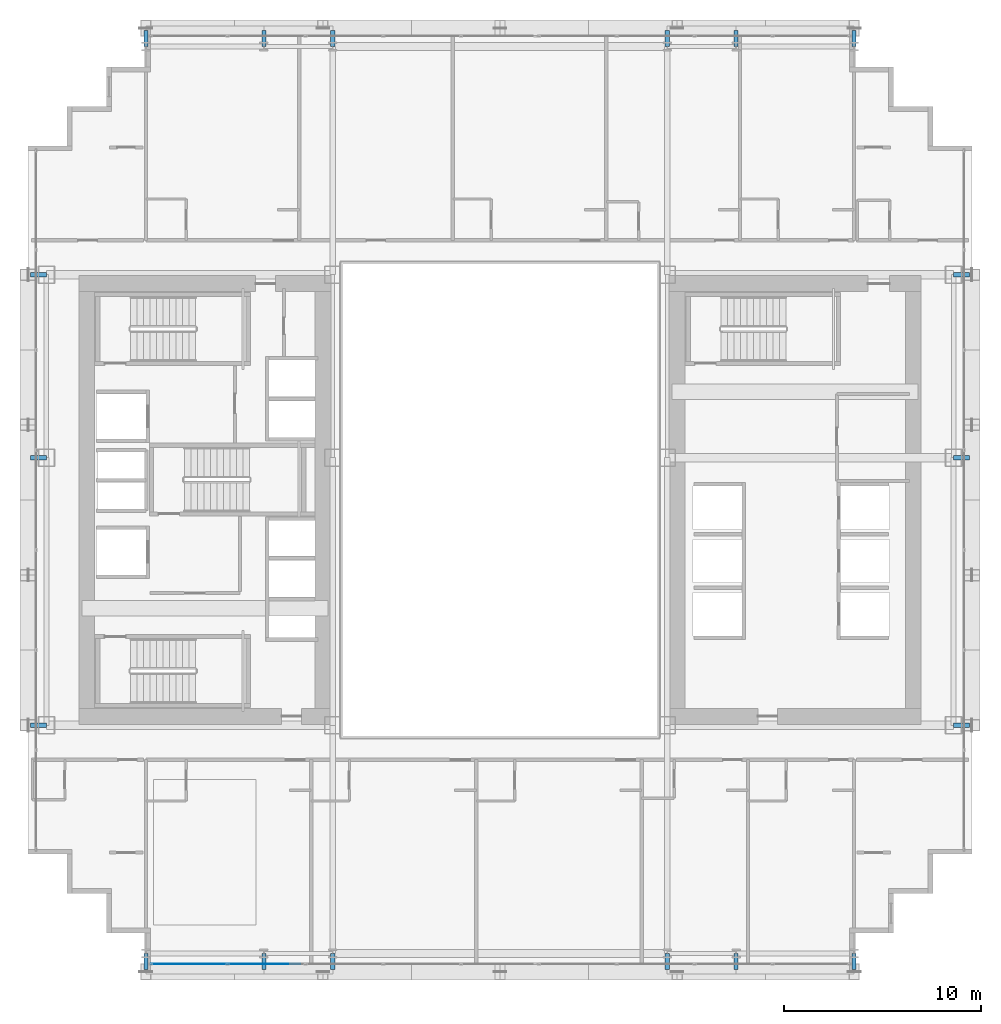
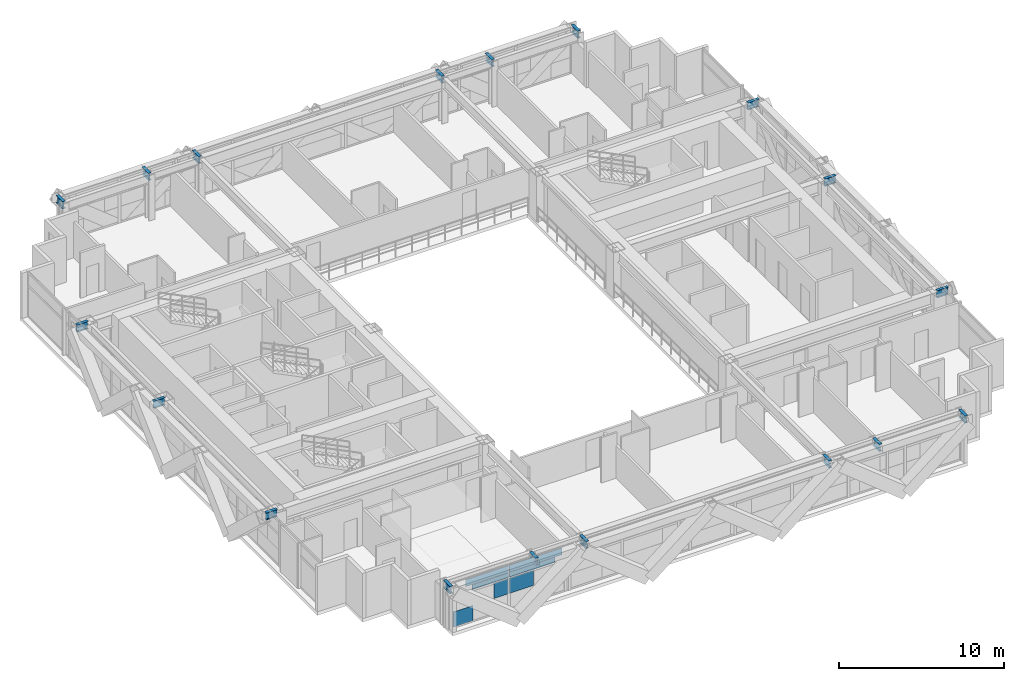
# One storey, part 23 of 38: 18 beams, 7 plates, 1 element without a shape of its own.
"""IFC4 building model written with IfcOpenShell, lengths in metres."""

from ifc_helpers import new_model, si_unit, direction, frame, origin, origin_2d, place, context, subcontext, project, spatial, rectangle, i_section, extrude, source, transform, mapped, material, layer, layer_set, material_profile, profile_set, type_object, element, aggregate, save


model = new_model("IFC4")

# Units and contexts
model_context = context("Model", 3, precision=1e-05, world=origin(), true_north=direction((0.0, 1.0)))
body_context = subcontext(model_context, "Body", "Model", "MODEL_VIEW")
ifc_project = project(units=[si_unit("LENGTHUNIT", "METRE"), si_unit("AREAUNIT", "SQUARE_METRE"), si_unit("VOLUMEUNIT", "CUBIC_METRE"), si_unit("PLANEANGLEUNIT", "RADIAN"), si_unit("MASSUNIT", "GRAM", prefix="KILO")], contexts=[model_context])

# Site, building, storey
site_placement = place(None, origin())
site = spatial("IfcSite", under=ifc_project, at=site_placement, CompositionType="ELEMENT")
building_placement = place(site_placement, origin())
building = spatial("IfcBuilding", under=site, at=building_placement, Name="Ocotamira Hotel", CompositionType="ELEMENT")
storey_placement = place(building_placement, frame((0.0, 0.0, 60.0)))
storey = spatial("IfcBuildingStorey", under=building, at=storey_placement, Name="L14", CompositionType="ELEMENT", Elevation=60.0)

# Beams
ifc_material_1 = material(Name="Steel ASTM A992 Grade 50", Category="steel")
ifc_material_profile = material_profile(ifc_material_1, i_section(OverallWidth=0.2099609375, OverallDepth=0.537109375, WebThickness=0.010986328125, FlangeThickness=0.017333984375, FilletRadius=0.012939453125, at=origin_2d()), Name="W21X68")
ifc_profile_set = profile_set([ifc_material_profile], Name="Steel ASTM A992 Grade 50")
beam_type = type_object("IfcBeamType", Name="BM-SEC-W21X68", PredefinedType="JOIST", material=ifc_profile_set)
shared_shape_1 = source(origin(), body_context, "Body", "SweptSolid", [
    extrude(i_section(OverallWidth=0.2099609375, OverallDepth=0.537109375, WebThickness=0.010986328125, FlangeThickness=0.017333984375, FilletRadius=0.012939453125, at=origin_2d()), origin(), (0.0, 0.0, 1.0), 0.800048828125),
])
for number, where, z_axis, x_axis, name in (
    (1, (14.0, 2.949951171875, 3.08154296875), (0.0, -1.0, 0.0), (1.0, 0.0, 0.0), "L14 South Edge Header X14"),
    (2, (14.0, 49.050048828125, 3.08154296875), (0.0, 1.0, 0.0), (-1.0, 0.0, 0.0), "L14 North Edge Header X14"),
    (3, (20.0, 2.949951171875, 3.08154296875), (0.0, -1.0, 0.0), (1.0, 0.0, 0.0), "L14 South Edge Header X20"),
    (4, (20.0, 49.050048828125, 3.08154296875), (0.0, 1.0, 0.0), (-1.0, 0.0, 0.0), "L14 North Edge Header X20"),
    (5, (23.5, 2.949951171875, 3.08154296875), (0.0, -1.0, 0.0), (1.0, 0.0, 0.0), "L14 South Edge Header X23.5"),
    (6, (23.5, 49.050048828125, 3.08154296875), (0.0, 1.0, 0.0), (-1.0, 0.0, 0.0), "L14 North Edge Header X23.5"),
    (7, (40.5, 2.949951171875, 3.08154296875), (0.0, -1.0, 0.0), (1.0, 0.0, 0.0), "L14 South Edge Header X40.5"),
    (8, (40.5, 49.050048828125, 3.08154296875), (0.0, 1.0, 0.0), (-1.0, 0.0, 0.0), "L14 North Edge Header X40.5"),
    (9, (44.0, 2.949951171875, 3.08154296875), (0.0, -1.0, 0.0), (1.0, 0.0, 0.0), "L14 South Edge Header X44"),
    (10, (44.0, 49.050048828125, 3.08154296875), (0.0, 1.0, 0.0), (-1.0, 0.0, 0.0), "L14 North Edge Header X44"),
    (11, (50.0, 2.949951171875, 3.08154296875), (0.0, -1.0, 0.0), (1.0, 0.0, 0.0), "L14 South Edge Header X50"),
    (12, (50.0, 49.050048828125, 3.08154296875), (0.0, 1.0, 0.0), (-1.0, 0.0, 0.0), "L14 North Edge Header X50"),
    (13, (8.949951171875, 14.550048828125, 3.08154296875), (-1.0, 0.0, 0.0), (0.0, -1.0, 0.0), "L14 West Edge Header Y14.55"),
    (14, (55.050048828125, 14.550048828125, 3.08154296875), (1.0, 0.0, 0.0), (0.0, 1.0, 0.0), "L14 East Edge Header Y14.55"),
    (15, (8.949951171875, 28.14990234375, 3.08154296875), (-1.0, 0.0, 0.0), (0.0, -1.0, 0.0), "L14 West Edge Header Y28.15"),
    (16, (55.050048828125, 28.14990234375, 3.08154296875), (1.0, 0.0, 0.0), (0.0, 1.0, 0.0), "L14 East Edge Header Y28.15"),
    (17, (8.949951171875, 37.449951171875, 3.08154296875), (-1.0, 0.0, 0.0), (0.0, -1.0, 0.0), "L14 West Edge Header Y37.45"),
    (18, (55.050048828125, 37.449951171875, 3.08154296875), (1.0, 0.0, 0.0), (0.0, 1.0, 0.0), "L14 East Edge Header Y37.45"),
):
    element("IfcBeam", number, at=place(storey_placement, frame(where, z_axis=z_axis, x_axis=x_axis)), inside=storey, type_object=beam_type, Name=name, PredefinedType="JOIST", context=body_context, shape_type="MappedRepresentation", body=[
        mapped(shared_shape_1, transform((0.0, 0.0, 0.0), scale=1.0)),
    ])

# Curtain wall, plates
ifc_material_2 = material(Name="Anodised pale-metal aluminium and solar glass", Category="aluminium")
ifc_layer_1 = layer(ifc_material_2, 0.179931640625)
ifc_layer_set_1 = layer_set([ifc_layer_1], Name="Anodised pale-metal aluminium and solar glass")
curtain_wall_type = type_object("IfcCurtainWallType", Name="CW-SYS2-Z1", PredefinedType="NOTDEFINED", material=ifc_layer_set_1)
curtain_wall_placement = place(storey_placement, origin())
curtain_wall = element("IfcCurtainWall", 19, at=curtain_wall_placement, inside=storey, type_object=curtain_wall_type, Name="L14 Curtain Wall CW-2 CW-L14-S1", PredefinedType="NOTDEFINED")
ifc_material_3 = material(Name="Double-silver low-E insulated solar glass", Category="glass")
ifc_layer_2 = layer(ifc_material_3, 0.031982421875)
ifc_layer_set_2 = layer_set([ifc_layer_2], Name="Double-silver low-E insulated solar glass")
plate_type = type_object("IfcPlateType", Name="CWP-VISION-32", PredefinedType="CURTAIN_PANEL", material=ifc_layer_set_2)
shared_shape_2 = source(origin(), body_context, "Body", "SweptSolid", [
    extrude(rectangle(XDim=1.382568359375, YDim=0.031982421875, at=origin_2d()), origin(), (0.0, 0.0, 1.0), 1.11865234375),
])
plate_1_placement = place(storey_placement, frame((14.97119140625, 2.419921875, 0.0751953125), z_axis=(0.0, 0.0, 1.0), x_axis=(1.0, 0.0, 0.0)))
plate_1 = element("IfcPlate", 20, at=plate_1_placement, type_object=plate_type, Name="CW-2 panel 1.1.1", PredefinedType="CURTAIN_PANEL", context=body_context, shape_type="MappedRepresentation", body=[
    mapped(shared_shape_2, transform((0.0, 0.0, 0.0), scale=1.0)),
])
shared_shape_3 = source(origin(), body_context, "Body", "SweptSolid", [
    extrude(rectangle(XDim=1.012451171875, YDim=0.031982421875, at=origin_2d()), origin(), (0.0, 0.0, 1.0), 1.11865234375),
])
plate_2_placement = place(storey_placement, frame((17.609375, 2.419921875, 1.19384765625), z_axis=(0.0, 0.0, 1.0), x_axis=(1.0, 0.0, 0.0)))
plate_2 = element("IfcPlate", 21, at=plate_2_placement, type_object=plate_type, Name="CW-2 panel 1.1.2", PredefinedType="CURTAIN_PANEL", context=body_context, shape_type="MappedRepresentation", body=[
    mapped(shared_shape_3, transform((0.0, 0.0, 0.0), scale=1.0)),
])
shared_shape_4 = source(origin(), body_context, "Body", "SweptSolid", [
    extrude(rectangle(XDim=2.9755859375, YDim=0.031982421875, at=origin_2d()), origin(), (0.0, 0.0, 1.0), 0.5107421875),
])
plate_3_placement = place(storey_placement, frame((16.627685546875, 2.419921875, 2.76416015625), z_axis=(0.0, 0.0, 1.0), x_axis=(1.0, 0.0, 0.0)))
plate_3 = element("IfcPlate", 22, at=plate_3_placement, type_object=plate_type, Name="CW-2 panel 1.2.1", PredefinedType="CURTAIN_PANEL", context=body_context, shape_type="MappedRepresentation", body=[
    mapped(shared_shape_4, transform((0.0, 0.0, 0.0), scale=1.0)),
])
shared_shape_5 = source(origin(), body_context, "Body", "SweptSolid", [
    extrude(rectangle(XDim=2.504638671875, YDim=0.031982421875, at=origin_2d()), origin(), (0.0, 0.0, 1.0), 0.345458984375),
])
plate_4_placement = place(storey_placement, frame((16.86328125, 2.419921875, 2.3876953125), z_axis=(0.0, 0.0, 1.0), x_axis=(1.0, 0.0, 0.0)))
plate_4 = element("IfcPlate", 23, at=plate_4_placement, type_object=plate_type, Name="CW-2 panel 1.2.2", PredefinedType="CURTAIN_PANEL", context=body_context, shape_type="MappedRepresentation", body=[
    mapped(shared_shape_5, transform((0.0, 0.0, 0.0), scale=1.0)),
])
shared_shape_6 = source(origin(), body_context, "Body", "SweptSolid", [
    extrude(rectangle(XDim=1.701416015625, YDim=0.031982421875, at=origin_2d()), origin(), (0.0, 0.0, 1.0), 1.11865234375),
])
plate_5_placement = place(storey_placement, frame((19.046142578125, 2.419921875, 1.19384765625), z_axis=(0.0, 0.0, 1.0), x_axis=(1.0, 0.0, 0.0)))
plate_5 = element("IfcPlate", 24, at=plate_5_placement, type_object=plate_type, Name="CW-2 panel 2.1.1", PredefinedType="CURTAIN_PANEL", context=body_context, shape_type="MappedRepresentation", body=[
    mapped(shared_shape_6, transform((0.0, 0.0, 0.0), scale=1.0)),
])
shared_shape_7 = source(origin(), body_context, "Body", "SweptSolid", [
    extrude(rectangle(XDim=3.193603515625, YDim=0.031982421875, at=origin_2d()), origin(), (0.0, 0.0, 1.0), 0.376708984375),
])
plate_6_placement = place(storey_placement, frame((19.792236328125, 2.419921875, 2.3876953125), z_axis=(0.0, 0.0, 1.0), x_axis=(1.0, 0.0, 0.0)))
plate_6 = element("IfcPlate", 25, at=plate_6_placement, type_object=plate_type, Name="CW-2 panel 2.2.1", PredefinedType="CURTAIN_PANEL", context=body_context, shape_type="MappedRepresentation", body=[
    mapped(shared_shape_7, transform((0.0, 0.0, 0.0), scale=1.0)),
])
shared_shape_8 = source(origin(), body_context, "Body", "SweptSolid", [
    extrude(rectangle(XDim=3.664306640625, YDim=0.031982421875, at=origin_2d()), origin(), (0.0, 0.0, 1.0), 0.5107421875),
])
plate_7_placement = place(storey_placement, frame((20.027587890625, 2.419921875, 2.76416015625), z_axis=(0.0, 0.0, 1.0), x_axis=(1.0, 0.0, 0.0)))
plate_7 = element("IfcPlate", 26, at=plate_7_placement, type_object=plate_type, Name="CW-2 panel 2.2.2", PredefinedType="CURTAIN_PANEL", context=body_context, shape_type="MappedRepresentation", body=[
    mapped(shared_shape_8, transform((0.0, 0.0, 0.0), scale=1.0)),
])
aggregate(curtain_wall, [plate_1, plate_2, plate_3, plate_4, plate_5, plate_6, plate_7])

save(model, "model.ifc")
